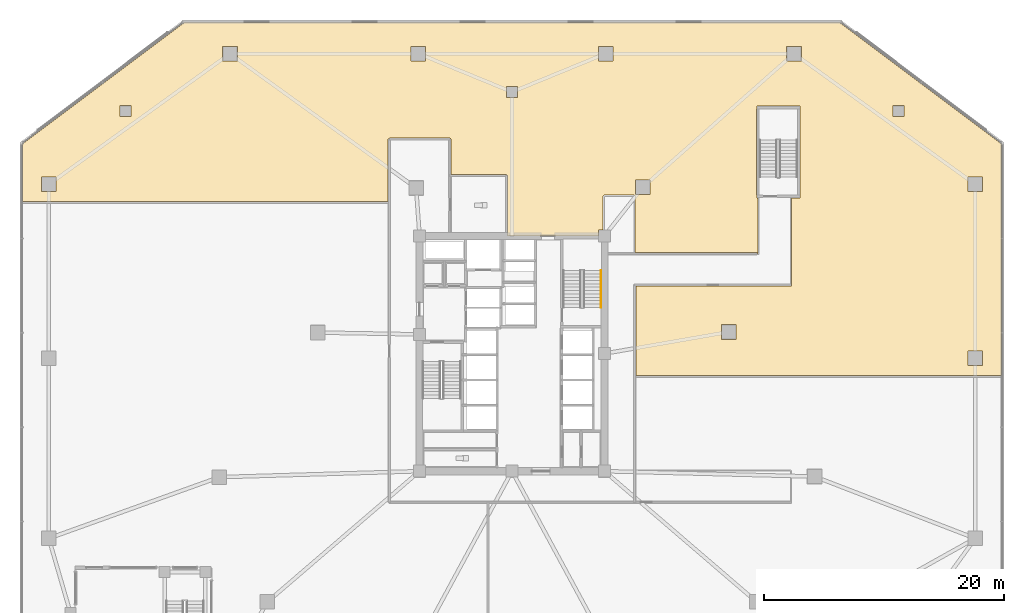
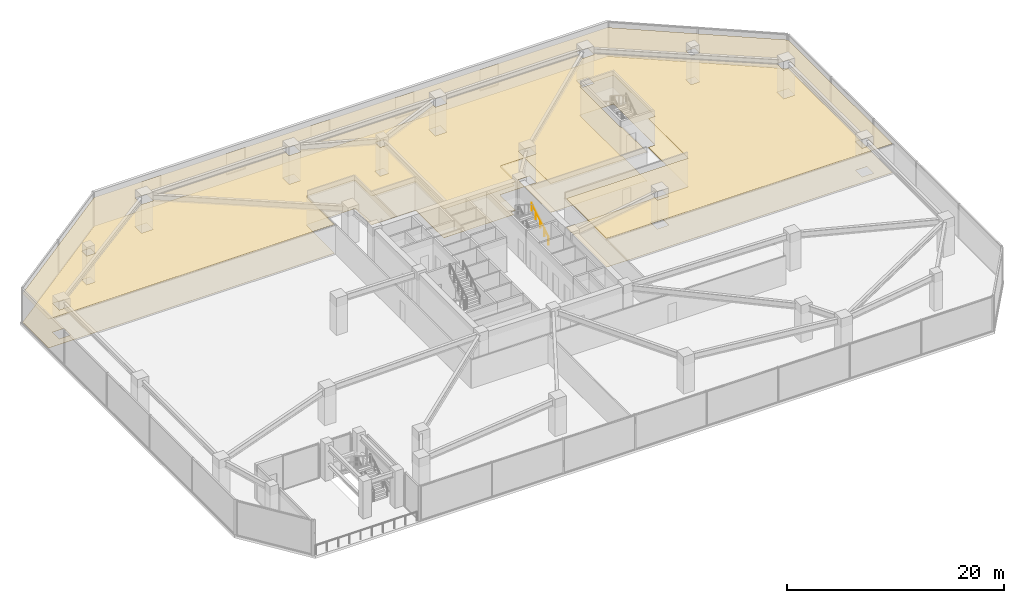
# One storey, part 19 of 21: 2 coverings, 1 railing.
"""IFC4 building model written with IfcOpenShell, lengths in metres."""

from ifc_helpers import new_model, si_unit, direction, frame, origin, origin_2d, place, context, subcontext, project, spatial, polyline, circle, outline, extrude, material, layer, layer_set, type_object, element, save


model = new_model("IFC4")

# Units and contexts
model_context = context("Model", 3, precision=1e-05, world=origin(), true_north=direction((0.0, 1.0)))
body_context = subcontext(model_context, "Body", "Model", "MODEL_VIEW")
ifc_project = project(units=[si_unit("LENGTHUNIT", "METRE"), si_unit("AREAUNIT", "SQUARE_METRE"), si_unit("VOLUMEUNIT", "CUBIC_METRE"), si_unit("PLANEANGLEUNIT", "RADIAN"), si_unit("MASSUNIT", "GRAM", prefix="KILO")], contexts=[model_context])

# Site, building, storey
site_placement = place(None, origin())
site = spatial("IfcSite", under=ifc_project, at=site_placement, CompositionType="ELEMENT")
building_placement = place(site_placement, origin())
building = spatial("IfcBuilding", under=site, at=building_placement, Name="Savorim Split Tower", CompositionType="ELEMENT")
storey_placement = place(building_placement, frame((0.0, 0.0, 9.199951171875)))
storey = spatial("IfcBuildingStorey", under=building, at=storey_placement, Name="L02", CompositionType="ELEMENT", Elevation=9.199951171875)

# Coverings
ifc_material_1 = material(Name="Mineral Fibre Acoustic Ceiling")
ifc_layer_1 = layer(ifc_material_1, 0.02490234375)
ifc_layer_set_1 = layer_set([ifc_layer_1], Name="COV-CEIL-25")
covering_type_1 = type_object("IfcCoveringType", Name="COV-CEIL-25", PredefinedType="CEILING", material=ifc_layer_set_1)
covering_1_placement = place(storey_placement, frame((0.0, 0.0, 3.239990234375)))
element("IfcCovering", 1, at=covering_1_placement, inside=storey, type_object=covering_type_1, Name="L02 Co-Working Commons Acoustic Ceiling", PredefinedType="CEILING", context=body_context, shape_type="SweptSolid", body=[
    extrude(outline(polyline([(27.32666015625, 27.97998046875), (-27.32666015625, 27.97998046875), (-40.780029296875, 17.889892578125), (-40.780029296875, 13.094970703125), (-10.31494140625, 13.094970703125), (-10.31494140625, 18.280029296875), (-10.219970703125, 18.280029296875), (-10.219970703125, 18.375), (-5.179931640625, 18.375), (-5.179931640625, 18.280029296875), (-5.0849609375, 18.280029296875), (-5.0849609375, 15.344970703125), (-0.449951171875, 15.344970703125), (-0.449951171875, 15.25), (-0.35498046875, 15.25), (-0.35498046875, 10.199951171875), (7.18994140625, 10.199951171875), (7.18994140625, 10.7099609375), (7.60009765625, 10.7099609375), (7.60009765625, 13.5), (7.6005859375, 13.509765625), (7.601806640625, 13.51953125), (7.604248046875, 13.529052734375), (7.607666015625, 13.538330078125), (7.61181640625, 13.547119140625), (7.616943359375, 13.5556640625), (7.622802734375, 13.5634765625), (7.62939453125, 13.57080078125), (7.63671875, 13.577392578125), (7.644287109375, 13.5830078125), (7.65283203125, 13.588134765625), (7.66162109375, 13.59228515625), (7.6708984375, 13.595703125), (7.680419921875, 13.59814453125), (7.690185546875, 13.599609375), (7.699951171875, 13.60009765625), (10.14990234375, 13.60009765625), (10.159912109375, 13.599609375), (10.16943359375, 13.59814453125), (10.178955078125, 13.595703125), (10.188232421875, 13.59228515625), (10.197021484375, 13.588134765625), (10.20556640625, 13.5830078125), (10.21337890625, 13.577392578125), (10.220703125, 13.57080078125), (10.227294921875, 13.5634765625), (10.233154296875, 13.5556640625), (10.23828125, 13.547119140625), (10.242431640625, 13.538330078125), (10.24560546875, 13.529052734375), (10.248046875, 13.51953125), (10.24951171875, 13.509765625), (10.25, 13.5), (10.25, 8.81494140625), (20.39990234375, 8.81494140625), (20.39990234375, 8.75), (20.5, 8.75), (20.5, 13.3798828125), (20.39990234375, 13.3798828125), (20.39990234375, 13.39990234375), (20.39990234375, 13.60009765625), (20.3798828125, 13.60009765625), (20.3798828125, 20.800048828125), (20.39990234375, 20.800048828125), (20.39990234375, 21.0), (20.39990234375, 21.02001953125), (24.0, 21.02001953125), (24.0, 21.0), (24.0, 20.800048828125), (24.02001953125, 20.800048828125), (24.02001953125, 13.60009765625), (24.0, 13.60009765625), (24.0, 13.39990234375), (24.0, 13.3798828125), (23.300048828125, 13.3798828125), (23.300048828125, 6.199951171875), (23.299560546875, 6.190185546875), (23.298095703125, 6.180419921875), (23.295654296875, 6.1708984375), (23.29248046875, 6.16162109375), (23.2880859375, 6.15283203125), (23.283203125, 6.144287109375), (23.280029296875, 6.14013671875), (23.280029296875, 6.02490234375), (10.31494140625, 6.02490234375), (10.31494140625, -1.405029296875), (40.780029296875, -1.405029296875), (40.780029296875, 17.889892578125), (27.32666015625, 27.97998046875)]), holes=[polyline([(37.989990234375, 0.610107421875), (37.989990234375, -0.610107421875), (39.2099609375, -0.610107421875), (39.2099609375, 0.610107421875), (37.989990234375, 0.610107421875)]), polyline([(37.989990234375, 13.889892578125), (39.2099609375, 13.889892578125), (39.2099609375, 15.110107421875), (37.989990234375, 15.110107421875), (37.989990234375, 13.889892578125)]), polyline([(22.889892578125, 24.7900390625), (24.110107421875, 24.7900390625), (24.110107421875, 26.010009765625), (22.889892578125, 26.010009765625), (22.889892578125, 24.7900390625)]), polyline([(7.18994140625, 24.7900390625), (8.409912109375, 24.7900390625), (8.409912109375, 26.010009765625), (7.18994140625, 26.010009765625), (7.18994140625, 24.7900390625)]), polyline([(-7.18994140625, 24.7900390625), (-7.18994140625, 26.010009765625), (-8.409912109375, 26.010009765625), (-8.409912109375, 24.7900390625), (-7.18994140625, 24.7900390625)]), polyline([(-22.889892578125, 26.010009765625), (-24.110107421875, 26.010009765625), (-24.110107421875, 24.7900390625), (-22.889892578125, 24.7900390625), (-22.889892578125, 26.010009765625)]), polyline([(-37.989990234375, 15.110107421875), (-39.2099609375, 15.110107421875), (-39.2099609375, 13.889892578125), (-37.989990234375, 13.889892578125), (-37.989990234375, 15.110107421875)]), polyline([(18.659423828125, 2.8125), (17.439453125, 2.8125), (17.439453125, 1.592529296875), (18.659423828125, 1.592529296875), (18.659423828125, 2.8125)]), polyline([(10.275390625, 14.860595703125), (10.275390625, 13.640380859375), (11.49560546875, 13.640380859375), (11.49560546875, 14.860595703125), (10.275390625, 14.860595703125)]), polyline([(31.739990234375, 20.139892578125), (32.659912109375, 20.139892578125), (32.659912109375, 21.06005859375), (31.739990234375, 21.06005859375), (31.739990234375, 20.139892578125)]), polyline([(-31.739990234375, 20.139892578125), (-31.739990234375, 21.06005859375), (-32.659912109375, 21.06005859375), (-32.659912109375, 20.139892578125), (-31.739990234375, 20.139892578125)]), polyline([(-0.4599609375, 22.659912109375), (-0.4599609375, 21.739990234375), (0.4599609375, 21.739990234375), (0.4599609375, 22.659912109375), (-0.4599609375, 22.659912109375)])]), origin(), (0.0, 0.0, 1.0), 0.025146484375),
])
ifc_material_2 = material(Name="Porcelain Stoneware Flooring", Category="masonry")
ifc_layer_2 = layer(ifc_material_2, 0.02001953125)
ifc_layer_set_2 = layer_set([ifc_layer_2], Name="COV-FLOR-20")
covering_type_2 = type_object("IfcCoveringType", Name="COV-FLOR-20", PredefinedType="FLOORING", material=ifc_layer_set_2)
covering_2_placement = place(storey_placement, origin())
element("IfcCovering", 2, at=covering_2_placement, inside=storey, type_object=covering_type_2, Name="L02 Co-Working Commons Porcelain Flooring", PredefinedType="FLOORING", context=body_context, shape_type="SweptSolid", body=[
    extrude(outline(polyline([(27.32666015625, 27.97998046875), (-27.32666015625, 27.97998046875), (-40.780029296875, 17.889892578125), (-40.780029296875, 13.094970703125), (-10.31494140625, 13.094970703125), (-10.31494140625, 18.280029296875), (-10.219970703125, 18.280029296875), (-10.219970703125, 18.375), (-5.179931640625, 18.375), (-5.179931640625, 18.280029296875), (-5.0849609375, 18.280029296875), (-5.0849609375, 15.344970703125), (-0.449951171875, 15.344970703125), (-0.449951171875, 15.25), (-0.35498046875, 15.25), (-0.35498046875, 10.199951171875), (7.18994140625, 10.199951171875), (7.18994140625, 10.7099609375), (7.60009765625, 10.7099609375), (7.60009765625, 13.5), (7.6005859375, 13.509765625), (7.601806640625, 13.51953125), (7.604248046875, 13.529052734375), (7.607666015625, 13.538330078125), (7.61181640625, 13.547119140625), (7.616943359375, 13.5556640625), (7.622802734375, 13.5634765625), (7.62939453125, 13.57080078125), (7.63671875, 13.577392578125), (7.644287109375, 13.5830078125), (7.65283203125, 13.588134765625), (7.66162109375, 13.59228515625), (7.6708984375, 13.595703125), (7.680419921875, 13.59814453125), (7.690185546875, 13.599609375), (7.699951171875, 13.60009765625), (10.14990234375, 13.60009765625), (10.159912109375, 13.599609375), (10.16943359375, 13.59814453125), (10.178955078125, 13.595703125), (10.188232421875, 13.59228515625), (10.197021484375, 13.588134765625), (10.20556640625, 13.5830078125), (10.21337890625, 13.577392578125), (10.220703125, 13.57080078125), (10.227294921875, 13.5634765625), (10.233154296875, 13.5556640625), (10.23828125, 13.547119140625), (10.242431640625, 13.538330078125), (10.24560546875, 13.529052734375), (10.248046875, 13.51953125), (10.24951171875, 13.509765625), (10.25, 13.5), (10.25, 8.81494140625), (20.39990234375, 8.81494140625), (20.39990234375, 8.75), (20.5, 8.75), (20.5, 13.3798828125), (20.39990234375, 13.3798828125), (20.39990234375, 13.39990234375), (20.39990234375, 13.60009765625), (20.3798828125, 13.60009765625), (20.3798828125, 20.800048828125), (20.39990234375, 20.800048828125), (20.39990234375, 21.0), (20.39990234375, 21.02001953125), (24.0, 21.02001953125), (24.0, 21.0), (24.0, 20.800048828125), (24.02001953125, 20.800048828125), (24.02001953125, 13.60009765625), (24.0, 13.60009765625), (24.0, 13.39990234375), (24.0, 13.3798828125), (23.300048828125, 13.3798828125), (23.300048828125, 6.199951171875), (23.299560546875, 6.190185546875), (23.298095703125, 6.180419921875), (23.295654296875, 6.1708984375), (23.29248046875, 6.16162109375), (23.2880859375, 6.15283203125), (23.283203125, 6.144287109375), (23.280029296875, 6.14013671875), (23.280029296875, 6.02490234375), (10.31494140625, 6.02490234375), (10.31494140625, -1.405029296875), (40.780029296875, -1.405029296875), (40.780029296875, 17.889892578125), (27.32666015625, 27.97998046875)]), holes=[polyline([(37.989990234375, 0.610107421875), (37.989990234375, -0.610107421875), (39.2099609375, -0.610107421875), (39.2099609375, 0.610107421875), (37.989990234375, 0.610107421875)]), polyline([(37.989990234375, 13.889892578125), (39.2099609375, 13.889892578125), (39.2099609375, 15.110107421875), (37.989990234375, 15.110107421875), (37.989990234375, 13.889892578125)]), polyline([(22.889892578125, 24.7900390625), (24.110107421875, 24.7900390625), (24.110107421875, 26.010009765625), (22.889892578125, 26.010009765625), (22.889892578125, 24.7900390625)]), polyline([(7.18994140625, 24.7900390625), (8.409912109375, 24.7900390625), (8.409912109375, 26.010009765625), (7.18994140625, 26.010009765625), (7.18994140625, 24.7900390625)]), polyline([(-7.18994140625, 24.7900390625), (-7.18994140625, 26.010009765625), (-8.409912109375, 26.010009765625), (-8.409912109375, 24.7900390625), (-7.18994140625, 24.7900390625)]), polyline([(-22.889892578125, 26.010009765625), (-24.110107421875, 26.010009765625), (-24.110107421875, 24.7900390625), (-22.889892578125, 24.7900390625), (-22.889892578125, 26.010009765625)]), polyline([(-37.989990234375, 15.110107421875), (-39.2099609375, 15.110107421875), (-39.2099609375, 13.889892578125), (-37.989990234375, 13.889892578125), (-37.989990234375, 15.110107421875)]), polyline([(18.659423828125, 2.8125), (17.439453125, 2.8125), (17.439453125, 1.592529296875), (18.659423828125, 1.592529296875), (18.659423828125, 2.8125)]), polyline([(10.275390625, 14.860595703125), (10.275390625, 13.640380859375), (11.49560546875, 13.640380859375), (11.49560546875, 14.860595703125), (10.275390625, 14.860595703125)]), polyline([(31.739990234375, 20.139892578125), (32.659912109375, 20.139892578125), (32.659912109375, 21.06005859375), (31.739990234375, 21.06005859375), (31.739990234375, 20.139892578125)]), polyline([(-31.739990234375, 20.139892578125), (-31.739990234375, 21.06005859375), (-32.659912109375, 21.06005859375), (-32.659912109375, 20.139892578125), (-31.739990234375, 20.139892578125)]), polyline([(-0.4599609375, 22.659912109375), (-0.4599609375, 21.739990234375), (0.4599609375, 21.739990234375), (0.4599609375, 22.659912109375), (-0.4599609375, 22.659912109375)])]), origin(), (0.0, 0.0, 1.0), 0.02001953125),
])

# Railing
ifc_material_3 = material(Name="Galvanised Painted Steel Balustrade", Category="steel")
railing_type = type_object("IfcRailingType", Name="RLG-HR-900", PredefinedType="HANDRAIL", material=ifc_material_3)
railing_placement = place(storey_placement, frame((7.39990234375, 4.25, 0.175048828125)))
element("IfcRailing", 3, at=railing_placement, inside=storey, type_object=railing_type, Name="L02 ST-2 stair handrail 1", PredefinedType="HANDRAIL", context=body_context, shape_type="SweptSolid", body=[
    extrude(circle(Radius=0.02392578125, at=origin_2d()), frame((0.0, 0.0, 0.8759765625), z_axis=(0.0, 0.847998304005, 0.529998940003), x_axis=(-1.0, 0.0, 0.0)), (0.0, 0.0, 1.0), 3.632080078125),
    extrude(circle(Radius=0.02099609375, at=origin_2d()), origin(), (0.0, 0.0, 1.0), 0.851806640625),
    extrude(circle(Radius=0.02099609375, at=origin_2d()), frame((0.0, 0.77001953125, 0.481201171875)), (0.0, 0.0, 1.0), 0.851806640625),
    extrude(circle(Radius=0.02099609375, at=origin_2d()), frame((0.0, 1.5400390625, 0.96240234375)), (0.0, 0.0, 1.0), 0.851806640625),
    extrude(circle(Radius=0.02099609375, at=origin_2d()), frame((0.0, 2.31005859375, 1.44384765625)), (0.0, 0.0, 1.0), 0.851806640625),
    extrude(circle(Radius=0.02099609375, at=origin_2d()), frame((0.0, 3.080078125, 1.925048828125)), (0.0, 0.0, 1.0), 0.851806640625),
])

save(model, "model.ifc")
